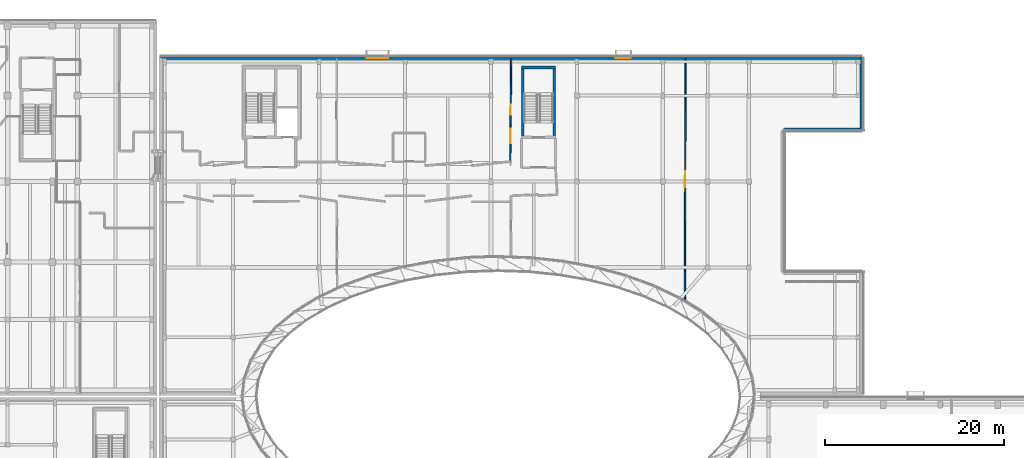
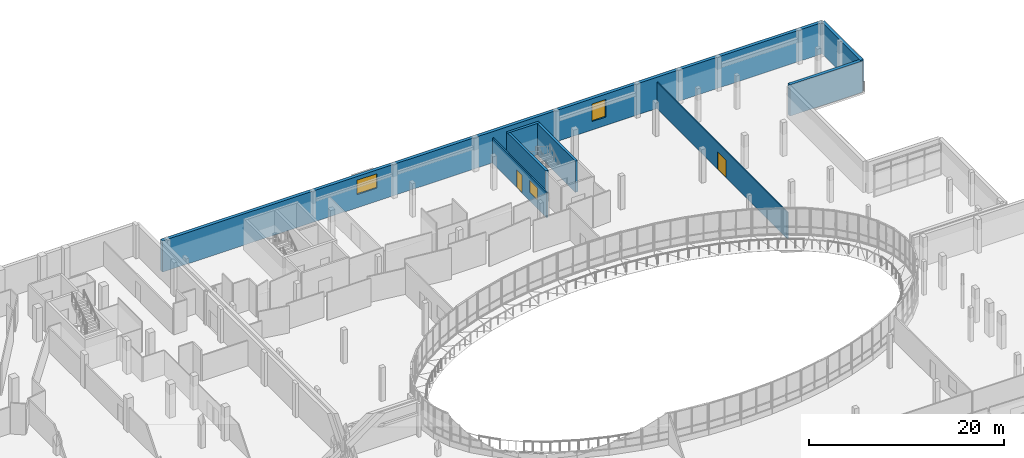
# One storey, part 54 of 84: 8 walls, 3 windows, 2 doors, 5 openings.
"""IFC4 building model written with IfcOpenShell, lengths in metres."""

import ifcopenshell
import ifcopenshell.guid

model = None  # the IFC model being written
_history = None  # IfcOwnerHistory: only IFC2X3 demands one
_inside = {}  # id of a spatial element -> (the spatial element, [elements in it])
_under = {}  # id of a project, library or spatial element -> (it, [spatial elements below it])
_declared = {}  # id of a project -> (the project, [libraries it declares])
_typed = {}  # id of a type object -> (the type object, [elements of that type])
_made_of = {}  # id of a material, layer set ... -> (it, [elements and type objects made of it])


def new_model(schema):
    """Start an empty IFC model of exactly this schema.

    Asked for "IFC4X3", IfcOpenShell would pick the latest addendum, in which some entities
    have other attributes; the version numbers below select the first issue.
    IFC2X3 requires an IfcOwnerHistory on every rooted entity: one is made here for all.
    """
    global model, _history
    if schema == "IFC4X3":
        model = ifcopenshell.file(schema_version=(4, 3, 0, 0))
    else:
        model = ifcopenshell.file(schema=schema)
    _inside.clear()
    _under.clear()
    _declared.clear()
    _typed.clear()
    _made_of.clear()
    _history = None
    if model.schema == "IFC2X3":
        org = make("IfcOrganization", Name="unknown")
        user = make(
            "IfcPersonAndOrganization",
            ThePerson=make("IfcPerson", FamilyName="unknown"),
            TheOrganization=org,
        )
        app = make(
            "IfcApplication",
            ApplicationDeveloper=org,
            Version="unknown",
            ApplicationFullName="unknown",
            ApplicationIdentifier="unknown",
        )
        _history = make(
            "IfcOwnerHistory",
            OwningUser=user,
            OwningApplication=app,
            ChangeAction="ADDED",
            CreationDate=0,
        )
    return model


def make(cls, **values):
    """One entity of the class cls with the attributes given. An attribute that is None is left unset."""
    return model.create_entity(
        cls, **{name: value for name, value in values.items() if value is not None}
    )


def rooted(cls, **values):
    """An entity with a GlobalId (a new one), such as an element, a storey or a relation."""
    return make(cls, GlobalId=ifcopenshell.guid.new(), OwnerHistory=_history, **values)


def si_unit(unit_type, name, prefix=None):
    """IfcSIUnit, for example si_unit("LENGTHUNIT", "METRE", prefix="MILLI")."""
    return make("IfcSIUnit", UnitType=unit_type, Prefix=prefix, Name=name)


def assignment(units):
    """IfcUnitAssignment: the units of a project."""
    return None if units is None else make("IfcUnitAssignment", Units=units)


def point(xyz):
    """IfcCartesianPoint."""
    return None if xyz is None else make("IfcCartesianPoint", Coordinates=xyz)


def direction(xyz):
    """IfcDirection."""
    return None if xyz is None else make("IfcDirection", DirectionRatios=xyz)


def frame(location, z_axis=None, x_axis=None):
    """IfcAxis2Placement3D, a coordinate frame: its origin and axes. An axis left out is left unset."""
    return make(
        "IfcAxis2Placement3D",
        Location=point(location),
        Axis=direction(z_axis),
        RefDirection=direction(x_axis),
    )


def frame_2d(location, x_axis=None):
    """IfcAxis2Placement2D, a coordinate frame in the plane: its origin and x axis."""
    return make(
        "IfcAxis2Placement2D", Location=point(location), RefDirection=direction(x_axis)
    )


def origin():
    """The frame at (0, 0, 0) with its axes left unset."""
    return frame((0.0, 0.0, 0.0))


def place(relative_to, where):
    """IfcLocalPlacement: puts the frame where relative to a parent placement (None: the world)."""
    return make(
        "IfcLocalPlacement", PlacementRelTo=relative_to, RelativePlacement=where
    )


def context(
    kind, dimensions, precision=None, world=None, true_north=None, identifier=None
):
    """IfcGeometricRepresentationContext, for example the 3D "Model" context."""
    return make(
        "IfcGeometricRepresentationContext",
        ContextIdentifier=identifier,
        ContextType=kind,
        CoordinateSpaceDimension=dimensions,
        Precision=precision,
        WorldCoordinateSystem=world,
        TrueNorth=true_north,
    )


def subcontext(parent, identifier, kind, view, scale=None):
    """IfcGeometricRepresentationSubContext, for example "Body" below "Model"."""
    return make(
        "IfcGeometricRepresentationSubContext",
        ContextIdentifier=identifier,
        ContextType=kind,
        ParentContext=parent,
        TargetScale=scale,
        TargetView=view,
    )


def project(units=None, contexts=None):
    """IfcProject with its units and contexts."""
    return rooted(
        "IfcProject",
        Name="project",
        RepresentationContexts=contexts,
        UnitsInContext=assignment(units),
    )


def spatial(cls, under=None, at=None, **own):
    """A site, building, storey or space (cls), placed at a placement, below another one or the project."""
    s = rooted(cls, ObjectPlacement=at, **own)
    if under is not None:
        _under.setdefault(under.id(), (under, []))[1].append(s)
    return s


def profile(cls, at=None, kind="AREA", **sizes):
    """A parametric profile (cls). Its sizes go by their IFC names, for example OverallWidth=200.0."""
    return make(cls, ProfileType=kind, Position=at, **sizes)


def rectangle(**sizes):
    """IfcRectangleProfileDef."""
    return profile("IfcRectangleProfileDef", **sizes)


def extrude(swept, where, along, depth):
    """IfcExtrudedAreaSolid: the profile swept, set in the frame where, extruded along a direction by depth."""
    return make(
        "IfcExtrudedAreaSolid",
        SweptArea=swept,
        Position=where,
        ExtrudedDirection=direction(along),
        Depth=depth,
    )


def shape(context_of_items, identifier, shape_type, items):
    """IfcShapeRepresentation: the items that make up one representation, for example the "Body"."""
    return make(
        "IfcShapeRepresentation",
        ContextOfItems=context_of_items,
        RepresentationIdentifier=identifier,
        RepresentationType=shape_type,
        Items=items,
    )


def material(Name=None, Category=None):
    """IfcMaterial."""
    return make("IfcMaterial", Name=Name, Category=Category)


def layer(
    of_material, thickness, ventilated=None, Name=None, Category=None, Priority=None
):
    """IfcMaterialLayer: one layer of a wall or slab, of a material (None: an air gap)."""
    return make(
        "IfcMaterialLayer",
        Material=of_material,
        LayerThickness=thickness,
        IsVentilated=ventilated,
        Name=Name,
        Category=Category,
        Priority=Priority,
    )


def layer_set(layers, Name=None):
    """IfcMaterialLayerSet."""
    return make("IfcMaterialLayerSet", MaterialLayers=layers, LayerSetName=Name)


def made_of(thing, what):
    """Note that an element or type object is made of a material, layer set ...; save() writes the relation."""
    if what is not None:
        _made_of.setdefault(what.id(), (what, []))[1].append(thing)
    return thing


def type_object(cls, material=None, **own):
    """A type object (cls), such as IfcWallType, which elements share."""
    return made_of(rooted(cls, **own), material)


def element(
    cls,
    number,
    at=None,
    inside=None,
    cuts=None,
    type_object=None,
    material=None,
    context=None,
    identifier="Body",
    shape_type=None,
    held_by="IfcProductDefinitionShape",
    body=None,
    shapes=None,
    **own,
):
    """One element of the class cls, such as IfcWall. Its Tag is "e" and its number.

    at: its placement. inside: the storey or other place that contains it. cuts: it is an
    opening in that element (IfcRelVoidsElement). A single representation is given by context,
    identifier, shape_type and body (its items); several are given by shapes. held_by: the class
    of the entity that holds the representations. save() writes the other relations.
    """
    e = rooted(cls, Tag="e%d" % number, ObjectPlacement=at, **own)
    if body is not None:
        shapes = [shape(context, identifier, shape_type, body)]
    if shapes is not None:
        e.Representation = make(held_by, Representations=shapes)
    if inside is not None:
        _inside.setdefault(inside.id(), (inside, []))[1].append(e)
    if cuts is not None:
        rooted(
            "IfcRelVoidsElement", RelatingBuildingElement=cuts, RelatedOpeningElement=e
        )
    if type_object is not None:
        _typed.setdefault(type_object.id(), (type_object, []))[1].append(e)
    return made_of(e, material)


def fill(opening, filler):
    """IfcRelFillsElement: the door or window that sits in an opening."""
    return rooted(
        "IfcRelFillsElement",
        RelatingOpeningElement=opening,
        RelatedBuildingElement=filler,
    )


def aggregate(whole, parts):
    """IfcRelAggregates: a whole, such as a stair, and the parts it consists of."""
    return rooted("IfcRelAggregates", RelatingObject=whole, RelatedObjects=parts)


def save(model, path):
    """Write the relations noted so far, then the file.

    IfcRelAggregates (storeys below a building ...), IfcRelContainedInSpatialStructure (elements
    in a storey), IfcRelDefinesByType, IfcRelAssociatesMaterial and IfcRelDeclares: one each for
    every whole, place, type object, material and project.
    """
    for whole, parts in _under.values():
        aggregate(whole, parts)
    for where, things in _inside.values():
        rooted(
            "IfcRelContainedInSpatialStructure",
            RelatedElements=things,
            RelatingStructure=where,
        )
    for kind, things in _typed.values():
        rooted("IfcRelDefinesByType", RelatedObjects=things, RelatingType=kind)
    for what, things in _made_of.values():
        rooted("IfcRelAssociatesMaterial", RelatedObjects=things, RelatingMaterial=what)
    for by, libraries in _declared.values():
        rooted("IfcRelDeclares", RelatingContext=by, RelatedDefinitions=libraries)
    model.write(path)


model = new_model("IFC4")

# Units and contexts
model_context = context("Model", 3, precision=1e-05, world=origin(), true_north=direction((0.0, 1.0)))
body_context = subcontext(model_context, "Body", "Model", "MODEL_VIEW")
ifc_project = project(units=[si_unit("LENGTHUNIT", "METRE"), si_unit("AREAUNIT", "SQUARE_METRE"), si_unit("VOLUMEUNIT", "CUBIC_METRE"), si_unit("PLANEANGLEUNIT", "RADIAN"), si_unit("MASSUNIT", "GRAM", prefix="KILO")], contexts=[model_context])

# Site, building, storey
site_placement = place(None, origin())
site = spatial("IfcSite", under=ifc_project, at=site_placement, CompositionType="ELEMENT")
building_placement = place(site_placement, origin())
building = spatial("IfcBuilding", under=site, at=building_placement, Name="Mzevani Central Library", CompositionType="ELEMENT")
storey_placement = place(building_placement, frame((0.0, 0.0, 5.39990234375)))
storey = spatial("IfcBuildingStorey", under=building, at=storey_placement, Name="L01", CompositionType="ELEMENT", Elevation=5.39990234375)

# Walls
ifc_material_1 = material(Name="Concrete C40/50", Category="concrete")
ifc_layer_1 = layer(ifc_material_1, 0.300048828125, Name="Core Shear Wall 300")
ifc_layer_set_1 = layer_set([ifc_layer_1], Name="Concrete C40/50")
wall_type_1 = type_object("IfcWallType", Name="Core Shear Wall 300", PredefinedType="SHEAR", material=ifc_layer_set_1)
wall_1_placement = place(storey_placement, frame((86.75, 104.800048828125, 0.0), z_axis=(0.0, 0.0, 1.0), x_axis=(0.0, 1.0, 0.0)))
element("IfcWall", 1, at=wall_1_placement, inside=storey, type_object=wall_type_1, Name="L01 Core C3B Atrium East Escape Stair Shear Wall (-x)", PredefinedType="SHEAR", context=body_context, shape_type="SweptSolid", body=[
    extrude(rectangle(XDim=8.099853515625, YDim=0.300048828125, at=frame_2d((4.0498046875, 0.0))), origin(), (0.0, 0.0, 1.0), 3.920166015625),
])
wall_2_placement = place(storey_placement, frame((86.60009765625, 112.75, 0.0), z_axis=(0.0, 0.0, 1.0), x_axis=(1.0, 0.0, 0.0)))
element("IfcWall", 2, at=wall_2_placement, inside=storey, type_object=wall_type_1, Name="L01 Core C3B Atrium East Escape Stair Shear Wall (+y)", PredefinedType="SHEAR", context=body_context, shape_type="SweptSolid", body=[
    extrude(rectangle(XDim=3.7998046875, YDim=0.300048828125, at=frame_2d((1.89990234375, 0.0))), origin(), (0.0, 0.0, 1.0), 3.920166015625),
])
wall_3_placement = place(storey_placement, frame((90.25, 112.89990234375, 0.0), z_axis=(0.0, 0.0, 1.0), x_axis=(0.0, -1.0, 0.0)))
element("IfcWall", 3, at=wall_3_placement, inside=storey, type_object=wall_type_1, Name="L01 Core C3B Atrium East Escape Stair Shear Wall (+x)", PredefinedType="SHEAR", context=body_context, shape_type="SweptSolid", body=[
    extrude(rectangle(XDim=8.099853515625, YDim=0.300048828125, at=frame_2d((4.0498046875, 0.0))), origin(), (0.0, 0.0, 1.0), 3.920166015625),
])

# Wall, openings, windows
ifc_material_2 = material(Name="Precast concrete C40/50", Category="concrete")
ifc_layer_2 = layer(ifc_material_2, 0.3798828125, Name="Exterior Thermal Concrete Wall 380")
ifc_layer_set_2 = layer_set([ifc_layer_2], Name="Precast concrete C40/50")
wall_type_2 = type_object("IfcWallType", Name="Exterior Thermal Concrete Wall 380", PredefinedType="STANDARD", material=ifc_layer_set_2)
wall_4_placement = place(storey_placement, frame((46.2900390625, 113.81005859375, 0.0), z_axis=(0.0, 0.0, 1.0), x_axis=(1.0, 0.0, 0.0)))
wall_4 = element("IfcWall", 4, at=wall_4_placement, inside=storey, type_object=wall_type_2, Name="L01 V3 Exterior Thermal Wall (45)", PredefinedType="STANDARD", context=body_context, shape_type="SweptSolid", body=[
    extrude(rectangle(XDim=78.320068359375, YDim=0.3798828125, at=frame_2d((39.16015625, 0.0))), origin(), (0.0, 0.0, 1.0), 3.920166015625),
])
opening_1_placement = place(wall_4_placement, frame((23.02880859375, 0.0, 1.64990234375)))
opening_1 = element("IfcOpeningElement", 5, at=opening_1_placement, cuts=wall_4, Name="Opening W-17", PredefinedType="OPENING", context=body_context, shape_type="SweptSolid", body=[
    extrude(rectangle(XDim=2.39990234375, YDim=1.800048828125, at=frame_2d((1.199951171875, 0.89990234375))), frame((0.0, 0.199951171875, 0.0), z_axis=(0.0, -1.0, 0.0), x_axis=(1.0, 0.0, 0.0)), (0.0, 0.0, 1.0), 0.39990234375),
])
opening_2_placement = place(wall_4_placement, frame((50.8662109375, 0.0, 1.050048828125)))
opening_2 = element("IfcOpeningElement", 6, at=opening_2_placement, cuts=wall_4, Name="Opening W-13", PredefinedType="OPENING", context=body_context, shape_type="SweptSolid", body=[
    extrude(rectangle(XDim=1.64990234375, YDim=2.199951171875, at=frame_2d((0.824951171875, 1.10009765625))), frame((0.0, 0.199951171875, 0.0), z_axis=(0.0, -1.0, 0.0), x_axis=(1.0, 0.0, 0.0)), (0.0, 0.0, 1.0), 0.39990234375),
])
ifc_material_3 = material(Name="Low-E triple glazing glass", Category="glass")
window_type_1 = type_object("IfcWindowType", Name="Deep Reveal Window 1650x2200", PartitioningType="SINGLE_PANEL", PredefinedType="WINDOW", material=ifc_material_3)
window_1_placement = place(opening_2_placement, origin())
window_1 = element("IfcWindow", 7, at=window_1_placement, inside=storey, type_object=window_type_1, Name="L01 V3 Deep-Reveal Window W-13 (125)", OverallHeight=2.199951171875, OverallWidth=1.64990234375, PartitioningType="SINGLE_PANEL", PredefinedType="WINDOW", context=body_context, shape_type="SweptSolid", body=[
    extrude(rectangle(XDim=1.64990234375, YDim=2.199951171875, at=frame_2d((0.824951171875, 1.10009765625))), frame((0.0, 0.030029296875, 0.0), z_axis=(0.0, -1.0, 0.0), x_axis=(1.0, 0.0, 0.0)), (0.0, 0.0, 1.0), 0.06005859375),
])
fill(opening_2, window_1)
window_type_2 = type_object("IfcWindowType", Name="Reading Clerestory Window 2400x1800", PartitioningType="SINGLE_PANEL", PredefinedType="WINDOW", material=ifc_material_3)
window_2_placement = place(opening_1_placement, origin())
window_2 = element("IfcWindow", 8, at=window_2_placement, inside=storey, type_object=window_type_2, Name="L01 V3 Deep-Reveal Window W-17 (124)", OverallHeight=1.800048828125, OverallWidth=2.39990234375, PartitioningType="SINGLE_PANEL", PredefinedType="WINDOW", context=body_context, shape_type="SweptSolid", body=[
    extrude(rectangle(XDim=2.39990234375, YDim=1.800048828125, at=frame_2d((1.199951171875, 0.89990234375))), frame((0.0, 0.030029296875, 0.0), z_axis=(0.0, -1.0, 0.0), x_axis=(1.0, 0.0, 0.0)), (0.0, 0.0, 1.0), 0.06005859375),
])
fill(opening_1, window_2)

# Walls
wall_5_placement = place(storey_placement, frame((124.610107421875, 113.81005859375, 0.0), z_axis=(0.0, 0.0, 1.0), x_axis=(0.0, -1.0, 0.0)))
element("IfcWall", 9, at=wall_5_placement, inside=storey, type_object=wall_type_2, Name="L01 V3 Exterior Thermal Wall (46)", PredefinedType="STANDARD", context=body_context, shape_type="SweptSolid", body=[
    extrude(rectangle(XDim=8.02001953125, YDim=0.3798828125, at=frame_2d((4.010009765625, 0.0))), origin(), (0.0, 0.0, 1.0), 3.920166015625),
])
wall_6_placement = place(storey_placement, frame((124.610107421875, 105.7900390625, 0.0), z_axis=(0.0, 0.0, 1.0), x_axis=(-1.0, 0.0, 0.0)))
element("IfcWall", 10, at=wall_6_placement, inside=storey, type_object=wall_type_2, Name="L01 V3 Exterior Thermal Wall (47)", PredefinedType="STANDARD", context=body_context, shape_type="SweptSolid", body=[
    extrude(rectangle(XDim=8.610107421875, YDim=0.3798828125, at=frame_2d((4.30517578125, 0.0))), origin(), (0.0, 0.0, 1.0), 3.920166015625),
])

# Wall, openings, window, door
ifc_material_4 = material(Name="Fire-rated gypsum board", Category="gypsum")
ifc_layer_3 = layer(ifc_material_4, 0.14990234375, Name="Partition Study 150")
ifc_layer_set_3 = layer_set([ifc_layer_3], Name="Fire-rated gypsum board")
wall_type_3 = type_object("IfcWallType", Name="Partition Study 150", PredefinedType="PARTITIONING", material=ifc_layer_set_3)
wall_7_placement = place(storey_placement, frame((85.44921875, 113.7099609375, 0.0), z_axis=(0.0, 0.0, 1.0), x_axis=(-0.00866075404, -0.999962494966, 0.0)))
wall_7 = element("IfcWall", 11, at=wall_7_placement, inside=storey, type_object=wall_type_3, Name="L01 V3 Partition IW-03 (278)", PredefinedType="PARTITIONING", context=body_context, shape_type="SweptSolid", body=[
    extrude(rectangle(XDim=11.3603515625, YDim=0.14990234375, at=frame_2d((5.68017578125, 0.0))), origin(), (0.0, 0.0, 1.0), 3.150146484375),
])
opening_3_placement = place(wall_7_placement, frame((5.130126953125, 0.0, 0.0)))
opening_3 = element("IfcOpeningElement", 12, at=opening_3_placement, cuts=wall_7, Name="Opening ID-08", PredefinedType="OPENING", context=body_context, shape_type="SweptSolid", body=[
    extrude(rectangle(XDim=1.10009765625, YDim=2.199951171875, at=frame_2d((0.550048828125, 1.10009765625))), frame((0.0, 0.0849609375, 0.0), z_axis=(0.0, -1.0, 0.0), x_axis=(1.0, 0.0, 0.0)), (0.0, 0.0, 1.0), 0.169921875),
])
opening_4_placement = place(wall_7_placement, frame((7.833984375, 0.0, 1.050048828125)))
opening_4 = element("IfcOpeningElement", 13, at=opening_4_placement, cuts=wall_7, Name="Opening IW-W01", PredefinedType="OPENING", context=body_context, shape_type="SweptSolid", body=[
    extrude(rectangle(XDim=1.60009765625, YDim=1.5, at=frame_2d((0.800048828125, 0.75))), frame((0.0, 0.0849609375, 0.0), z_axis=(0.0, -1.0, 0.0), x_axis=(1.0, 0.0, 0.0)), (0.0, 0.0, 1.0), 0.169921875),
])
window_type_3 = type_object("IfcWindowType", Name="Interior Borrowed Light 1600x1500", PartitioningType="SINGLE_PANEL", PredefinedType="WINDOW", material=ifc_material_3)
window_3_placement = place(opening_4_placement, origin())
window_3 = element("IfcWindow", 14, at=window_3_placement, inside=storey, type_object=window_type_3, Name="L01 Language Learning Seminar Room Acoustic Borrowed Light", OverallHeight=1.5, OverallWidth=1.60009765625, PartitioningType="SINGLE_PANEL", PredefinedType="WINDOW", context=body_context, shape_type="SweptSolid", body=[
    extrude(rectangle(XDim=1.60009765625, YDim=1.5, at=frame_2d((0.800048828125, 0.75))), frame((0.0, 0.030029296875, 0.0), z_axis=(0.0, -1.0, 0.0), x_axis=(1.0, 0.0, 0.0)), (0.0, 0.0, 1.0), 0.06005859375),
])
fill(opening_4, window_3)
ifc_material_5 = material(Name="Fire-rated solid oak leaf")
door_type_1 = type_object("IfcDoorType", Name="Seminar Room Door 1100x2200", OperationType="NOTDEFINED", PredefinedType="DOOR", material=ifc_material_5)
door_1_placement = place(opening_3_placement, origin())
door_1 = element("IfcDoor", 15, at=door_1_placement, inside=storey, type_object=door_type_1, Name="L01 Language Learning Seminar Room Door", OperationType="SINGLE_SWING_RIGHT", OverallHeight=2.199951171875, OverallWidth=1.10009765625, PredefinedType="DOOR", context=body_context, shape_type="SweptSolid", body=[
    extrude(rectangle(XDim=1.10009765625, YDim=2.199951171875, at=frame_2d((0.550048828125, 1.10009765625))), frame((0.0, 0.02490234375, 0.0), z_axis=(0.0, -1.0, 0.0), x_axis=(1.0, 0.0, 0.0)), (0.0, 0.0, 1.0), 0.050048828125),
])
fill(opening_3, door_1)

# Wall, opening, door
wall_8_placement = place(storey_placement, frame((104.934814453125, 113.7099609375, 0.0), z_axis=(0.0, 0.0, 1.0), x_axis=(-0.003109657588, -0.999995165003, 0.0)))
wall_8 = element("IfcWall", 16, at=wall_8_placement, inside=storey, type_object=wall_type_3, Name="L01 V3 Partition IW-03 (287)", PredefinedType="PARTITIONING", context=body_context, shape_type="SweptSolid", body=[
    extrude(rectangle(XDim=26.92919921875, YDim=0.14990234375, at=frame_2d((13.464599609375, 0.0))), origin(), (0.0, 0.0, 1.0), 3.300048828125),
])
opening_5_placement = place(wall_8_placement, frame((12.564697265625, 0.0, 0.0)))
opening_5 = element("IfcOpeningElement", 17, at=opening_5_placement, cuts=wall_8, Name="Opening FD-06", PredefinedType="OPENING", context=body_context, shape_type="SweptSolid", body=[
    extrude(rectangle(XDim=1.800048828125, YDim=2.199951171875, at=frame_2d((0.89990234375, 1.10009765625))), frame((0.0, 0.0849609375, 0.0), z_axis=(0.0, -1.0, 0.0), x_axis=(1.0, 0.0, 0.0)), (0.0, 0.0, 1.0), 0.169921875),
])
ifc_material_6 = material(Name="Fire-rated steel door assembly", Category="steel")
door_type_2 = type_object("IfcDoorType", Name="Fire Corridor Double Door 1800x2200", OperationType="NOTDEFINED", PredefinedType="DOOR", material=ifc_material_6)
door_2_placement = place(opening_5_placement, origin())
door_2 = element("IfcDoor", 18, at=door_2_placement, inside=storey, type_object=door_type_2, Name="L01 Terraced Court Reading Balcony 3 Door", OperationType="DOUBLE_DOOR_SINGLE_SWING", OverallHeight=2.199951171875, OverallWidth=1.800048828125, PredefinedType="DOOR", context=body_context, shape_type="SweptSolid", body=[
    extrude(rectangle(XDim=1.800048828125, YDim=2.199951171875, at=frame_2d((0.89990234375, 1.10009765625))), frame((0.0, 0.02490234375, 0.0), z_axis=(0.0, -1.0, 0.0), x_axis=(1.0, 0.0, 0.0)), (0.0, 0.0, 1.0), 0.050048828125),
])
fill(opening_5, door_2)

save(model, "model.ifc")
